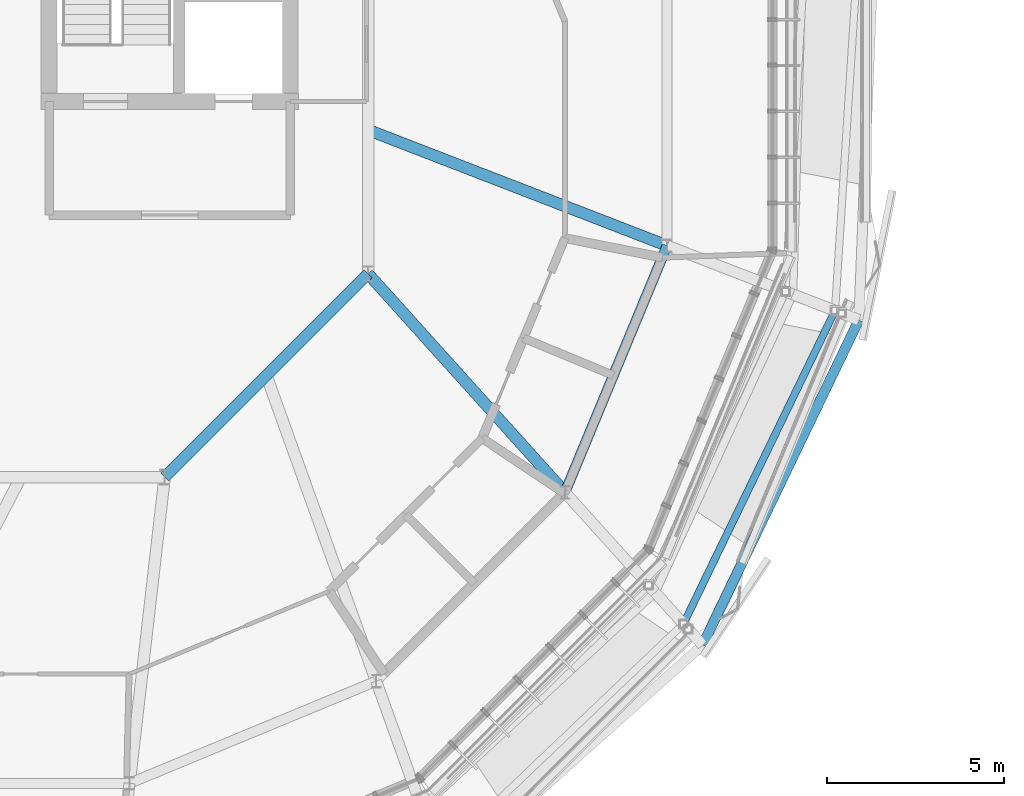
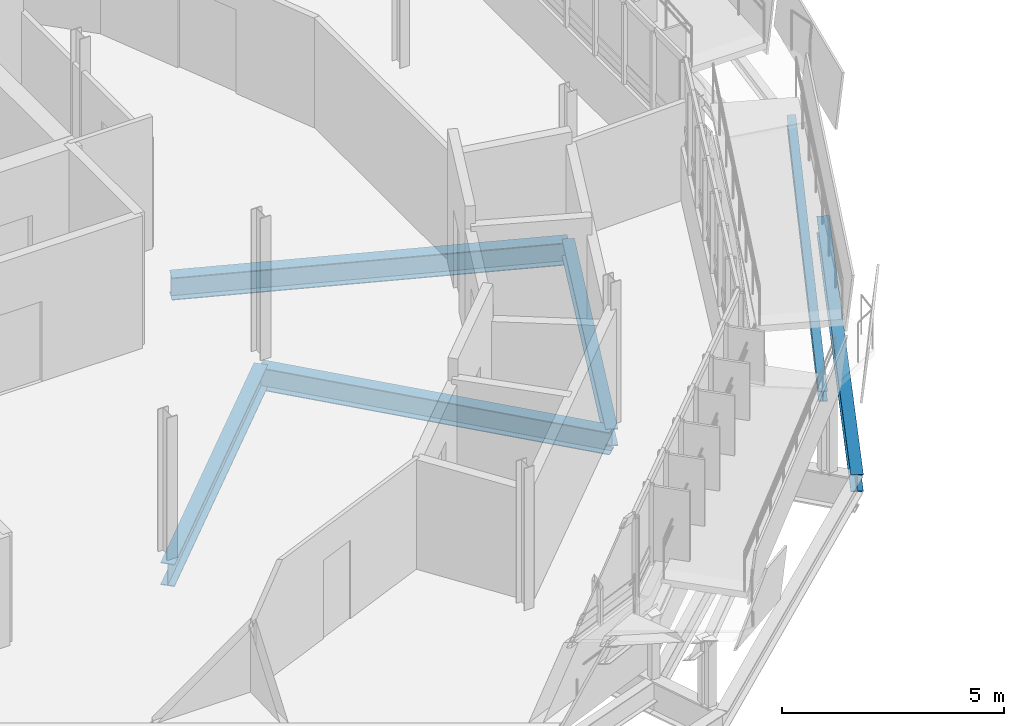
# One storey, part 12 of 38: 6 beams.
"""IFC4 building model written with IfcOpenShell, lengths in metres."""

from ifc_helpers import new_model, si_unit, derived_unit, direction, frame, origin, origin_2d, place, context, subcontext, project, spatial, i_section, extrude, material, material_profile, profile_set, type_object, element, save


model = new_model("IFC4")

# Units and contexts
model_context = context("Model", 3, precision=1e-05, world=origin(), true_north=direction((0.0, 1.0)))
body_context = subcontext(model_context, "Body", "Model", "MODEL_VIEW")
ifc_project = project(units=[si_unit("LENGTHUNIT", "METRE"), si_unit("AREAUNIT", "SQUARE_METRE"), si_unit("VOLUMEUNIT", "CUBIC_METRE"), si_unit("PLANEANGLEUNIT", "RADIAN"), si_unit("MASSUNIT", "GRAM", prefix="KILO"), derived_unit("THERMALTRANSMITTANCEUNIT", [(si_unit("MASSUNIT", "GRAM", prefix="KILO"), 1), (si_unit("TIMEUNIT", "SECOND"), -3), (si_unit("THERMODYNAMICTEMPERATUREUNIT", "KELVIN"), -1)])], contexts=[model_context])

# Site, building, storey
site_placement = place(None, origin())
site = spatial("IfcSite", under=ifc_project, at=site_placement, CompositionType="ELEMENT")
building_placement = place(site_placement, origin())
building = spatial("IfcBuilding", under=site, at=building_placement, Name="Makaiwela Harbour Ferry Terminal", CompositionType="ELEMENT")
storey_placement = place(building_placement, frame((0.0, 0.0, 17.699951171875)))
storey = spatial("IfcBuildingStorey", under=building, at=storey_placement, Name="L04", CompositionType="ELEMENT", Elevation=17.699951171875)

# Beams
ifc_material = material(Name="Steel ASTM A992 Grade 50", Category="steel")
ifc_material_profile_1 = material_profile(ifc_material, i_section(OverallWidth=0.324951171875, OverallDepth=0.615966796875, WebThickness=0.013916015625, FlangeThickness=0.021484375, at=origin_2d()), Name="W24X117")
ifc_profile_set_1 = profile_set([ifc_material_profile_1], Name="Steel ASTM A992 Grade 50")
beam_type_1 = type_object("IfcBeamType", Name="STR-GRD-W24X117", PredefinedType="USERDEFINED", material=ifc_profile_set_1)
beam_1_placement = place(storey_placement, frame((41.8564453125, 57.806884765625, -0.56298828125), z_axis=(0.707091734601, 0.707121827452, 0.0), x_axis=(-0.707121827452, 0.707091734601, 0.0)))
element("IfcBeam", 1, at=beam_1_placement, inside=storey, type_object=beam_type_1, Name="Drum inner ring girder 379", ObjectType="GIRDER", PredefinedType="USERDEFINED", context=body_context, shape_type="SweptSolid", body=[
    extrude(i_section(OverallWidth=0.324951171875, OverallDepth=0.615966796875, WebThickness=0.013916015625, FlangeThickness=0.021484375, at=origin_2d()), origin(), (0.0, 0.0, 1.0), 8.11279296875),
])
beam_2_placement = place(storey_placement, frame((47.593017578125, 63.543701171875, -0.56298828125), z_axis=(0.669284852474, -0.743005912661, 0.0), x_axis=(0.743005912661, 0.669284852474, 0.0)))
element("IfcBeam", 2, at=beam_2_placement, inside=storey, type_object=beam_type_1, Name="Drum radial girder 447", ObjectType="GIRDER", PredefinedType="USERDEFINED", context=body_context, shape_type="SweptSolid", body=[
    extrude(i_section(OverallWidth=0.324951171875, OverallDepth=0.615966796875, WebThickness=0.013916015625, FlangeThickness=0.021484375, at=origin_2d()), origin(), (0.0, 0.0, 1.0), 8.299072265625),
])
beam_3_placement = place(storey_placement, frame((47.593017578125, 67.60009765625, -0.56298828125), z_axis=(0.932578355868, -0.360967602655, 0.0), x_axis=(0.360967602655, 0.932578355868, 0.0)))
element("IfcBeam", 3, at=beam_3_placement, inside=storey, type_object=beam_type_1, Name="Drum radial girder 450", ObjectType="GIRDER", PredefinedType="USERDEFINED", context=body_context, shape_type="SweptSolid", body=[
    extrude(i_section(OverallWidth=0.324951171875, OverallDepth=0.615966796875, WebThickness=0.013916015625, FlangeThickness=0.021484375, at=origin_2d()), origin(), (0.0, 0.0, 1.0), 9.046142578125),
])
ifc_material_profile_2 = material_profile(ifc_material, i_section(OverallWidth=0.205078125, OverallDepth=0.31005859375, WebThickness=0.009521484375, FlangeThickness=0.016357421875, at=origin_2d()), Name="W12X50")
ifc_profile_set_2 = profile_set([ifc_material_profile_2], Name="Steel ASTM A992 Grade 50")
beam_type_2 = type_object("IfcBeamType", Name="STR-LNT-W12X50", PredefinedType="LINTEL", material=ifc_profile_set_2)
beam_4_placement = place(storey_placement, frame((56.48974609375, 53.6669921875, 1.721923828125), z_axis=(0.434372460235, 0.897668356517, 0.07424343404), x_axis=(-0.900152644721, 0.435574581676, 0.0)))
element("IfcBeam", 4, at=beam_4_placement, inside=storey, type_object=beam_type_2, Name="Coiled Ramp Stringer L04-F5-OUT", PredefinedType="LINTEL", context=body_context, shape_type="SweptSolid", body=[
    extrude(i_section(OverallWidth=0.205078125, OverallDepth=0.31005859375, WebThickness=0.009521484375, FlangeThickness=0.016357421875, at=origin_2d()), origin(), (0.0, 0.0, 1.0), 9.842041015625),
])
ifc_material_profile_3 = material_profile(ifc_material, i_section(OverallWidth=0.283935546875, OverallDepth=0.47607421875, WebThickness=0.014892578125, FlangeThickness=0.02392578125, at=origin_2d()), Name="W18X106")
ifc_profile_set_3 = profile_set([ifc_material_profile_3], Name="Steel ASTM A992 Grade 50")
beam_type_3 = type_object("IfcBeamType", Name="STR-SPN-W18X106", PredefinedType="SPANDREL", material=ifc_profile_set_3)
beam_5_placement = place(storey_placement, frame((53.1474609375, 57.37744140625, -0.492919921875), z_axis=(0.382687752376, 0.923877743092, 0.0), x_axis=(-0.923877743092, 0.382687752376, 0.0)))
element("IfcBeam", 5, at=beam_5_placement, inside=storey, type_object=beam_type_3, Name="Drum column ring girder 395", PredefinedType="SPANDREL", context=body_context, shape_type="SweptSolid", body=[
    extrude(i_section(OverallWidth=0.283935546875, OverallDepth=0.47607421875, WebThickness=0.014892578125, FlangeThickness=0.02392578125, at=origin_2d()), origin(), (0.0, 0.0, 1.0), 7.530517578125),
])
beam_6_placement = place(storey_placement, frame((57.029296875, 53.068115234375, -0.492919921875), z_axis=(0.433198134775, 0.901298716313, 0.0), x_axis=(-0.901298716313, 0.433198134775, 0.0)))
element("IfcBeam", 6, at=beam_6_placement, inside=storey, type_object=beam_type_3, Name="Drum perimeter spandrel 494", PredefinedType="SPANDREL", context=body_context, shape_type="SweptSolid", body=[
    extrude(i_section(OverallWidth=0.283935546875, OverallDepth=0.47607421875, WebThickness=0.014892578125, FlangeThickness=0.02392578125, at=origin_2d()), origin(), (0.0, 0.0, 1.0), 10.177734375),
])

save(model, "model.ifc")
